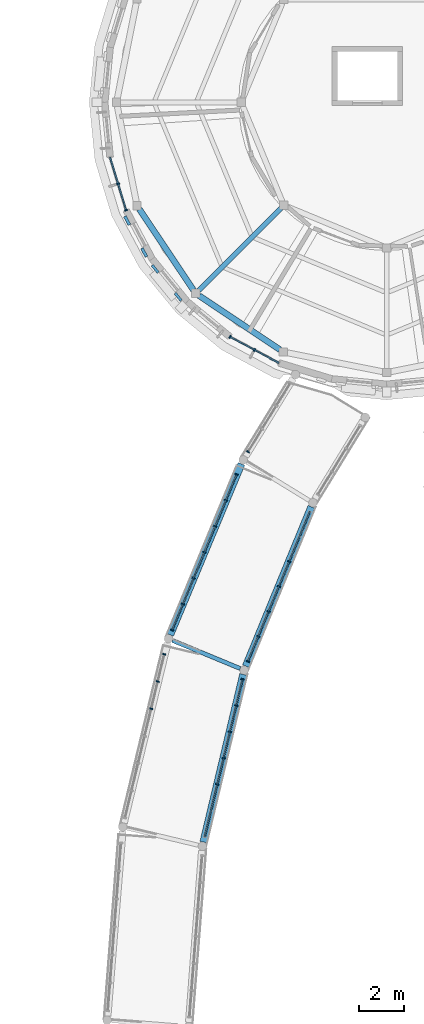
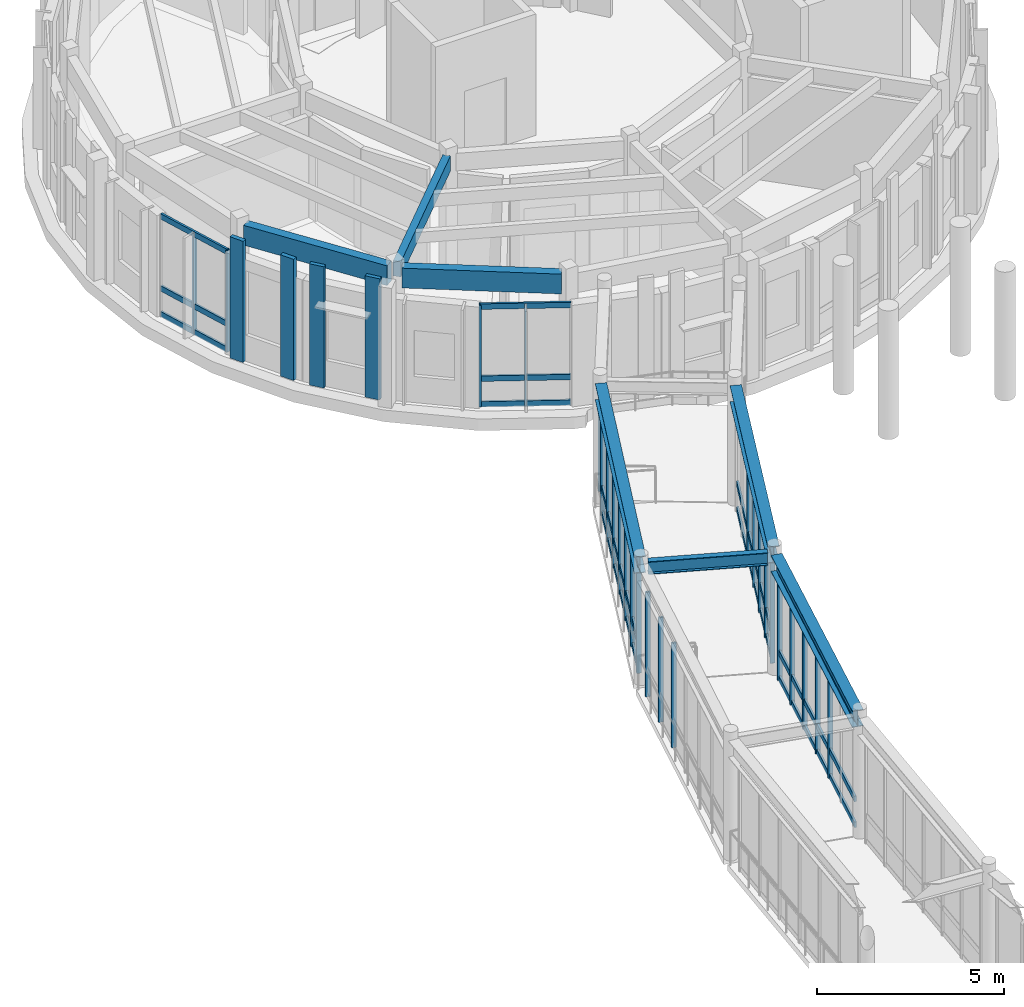
# One storey, part 27 of 80: 44 members, 7 beams, 7 elements without a shape of their own.
"""IFC4 building model written with IfcOpenShell, lengths in metres."""

from ifc_helpers import new_model, si_unit, direction, frame, origin, origin_2d, place, context, subcontext, project, spatial, rectangle, i_section, extrude, material, layer, layer_set, material_profile, profile_set, type_object, element, aggregate, save


model = new_model("IFC4")

# Units and contexts
model_context = context("Model", 3, precision=1e-05, world=origin(), true_north=direction((0.0, 1.0)))
body_context = subcontext(model_context, "Body", "Model", "MODEL_VIEW")
ifc_project = project(units=[si_unit("LENGTHUNIT", "METRE"), si_unit("AREAUNIT", "SQUARE_METRE"), si_unit("VOLUMEUNIT", "CUBIC_METRE"), si_unit("PLANEANGLEUNIT", "RADIAN"), si_unit("MASSUNIT", "GRAM", prefix="KILO")], contexts=[model_context])

# Site, building, storey
site_placement = place(None, origin())
site = spatial("IfcSite", under=ifc_project, at=site_placement, CompositionType="ELEMENT")
building_placement = place(site_placement, origin())
building = spatial("IfcBuilding", under=site, at=building_placement, Name="Aldenvaro Health Centre", CompositionType="ELEMENT")
storey_placement = place(building_placement, frame((0.0, 0.0, 4.550048828125)))
storey = spatial("IfcBuildingStorey", under=building, at=storey_placement, Name="L01", CompositionType="ELEMENT", Elevation=4.550048828125)

# Beams
ifc_material_1 = material(Name="Glulam GL28h", Category="wood")
ifc_material_profile_1 = material_profile(ifc_material_1, rectangle(XDim=0.215087890625, YDim=0.493896484375, at=origin_2d()), Name="GL 215x494", Category="wood")
ifc_profile_set_1 = profile_set([ifc_material_profile_1], Name="Glulam GL28h")
beam_type_1 = type_object("IfcBeamType", Name="BM-GL-494", PredefinedType="BEAM", material=ifc_profile_set_1)
beam_1_placement = place(storey_placement, frame((149.845947265625, 94.845947265625, 3.7080078125), z_axis=(-0.707106781187, -0.707106781187, 0.0), x_axis=(0.707106781187, -0.707106781187, 0.0)))
element("IfcBeam", 1, at=beam_1_placement, inside=storey, type_object=beam_type_1, Name="D2 L01 radial beam 04", PredefinedType="BEAM", context=body_context, shape_type="SweptSolid", body=[
    extrude(rectangle(XDim=0.215087890625, YDim=0.493896484375, at=origin_2d()), origin(), (0.0, 0.0, 1.0), 5.115234375),
])
ifc_material_profile_2 = material_profile(ifc_material_1, rectangle(XDim=0.264892578125, YDim=0.64599609375, at=origin_2d()), Name="GL 265x646", Category="wood")
ifc_profile_set_2 = profile_set([ifc_material_profile_2], Name="Glulam GL28h")
beam_type_2 = type_object("IfcBeamType", Name="BM-GL-646", PredefinedType="SPANDREL", material=ifc_profile_set_2)
for number, where, z_axis, x_axis, name in (
    (2, (143.625, 94.802001953125, 3.6318359375), (0.555886935474, -0.831257911222, 0.0), (0.831257911222, 0.555886935474, 0.0), "D2 L01 perimeter spandrel 10"),
    (3, (146.251953125, 90.9990234375, 3.6318359375), (0.831257911222, -0.555886935474, 0.0), (0.555886935474, 0.831257911222, 0.0), "D2 L01 perimeter spandrel 11"),
):
    element("IfcBeam", number, at=place(storey_placement, frame(where, z_axis=z_axis, x_axis=x_axis)), inside=storey, type_object=beam_type_2, Name=name, PredefinedType="SPANDREL", context=body_context, shape_type="SweptSolid", body=[
        extrude(rectangle(XDim=0.264892578125, YDim=0.64599609375, at=origin_2d()), origin(), (0.0, 0.0, 1.0), 4.270751953125),
    ])
ifc_material_2 = material(Name="Steel ASTM A992 Grade 50", Category="steel")
ifc_material_profile_3 = material_profile(ifc_material_2, i_section(OverallWidth=0.180908203125, OverallDepth=0.4169921875, WebThickness=0.010986328125, FlangeThickness=0.018310546875, at=origin_2d()), Name="W16X57", Category="steel")
ifc_profile_set_3 = profile_set([ifc_material_profile_3], Name="Steel ASTM A992 Grade 50")
beam_type_3 = type_object("IfcBeamType", Name="BM-ST-W16E", PredefinedType="JOIST", material=ifc_profile_set_3)
beam_2_placement = place(storey_placement, frame((148.056884765625, 74.60693359375, 3.740966796875), z_axis=(-0.923840255286, 0.382778242216, 0.0), x_axis=(-0.382778242216, -0.923840255286, 0.0)))
element("IfcBeam", 4, at=beam_2_placement, inside=storey, type_object=beam_type_3, Name="East Curved Garden Colonnade Arc 2 L01 cross beam 2", PredefinedType="JOIST", context=body_context, shape_type="SweptSolid", body=[
    extrude(i_section(OverallWidth=0.180908203125, OverallDepth=0.4169921875, WebThickness=0.010986328125, FlangeThickness=0.018310546875, at=origin_2d()), origin(), (0.0, 0.0, 1.0), 3.218994140625),
])
ifc_material_profile_4 = material_profile(ifc_material_2, i_section(OverallWidth=0.31201171875, OverallDepth=0.54296875, WebThickness=0.0126953125, FlangeThickness=0.020263671875, at=origin_2d()), Name="W21X101", Category="steel")
ifc_profile_set_4 = profile_set([ifc_material_profile_4], Name="Steel ASTM A992 Grade 50")
beam_type_4 = type_object("IfcBeamType", Name="BM-ST-W21E", PredefinedType="BEAM", material=ifc_profile_set_4)
beam_3_placement = place(storey_placement, frame((151.18505859375, 81.718017578125, 3.678955078125), z_axis=(-0.380124151728, -0.924935473032, 0.0), x_axis=(0.924935473032, -0.380124151728, 0.0)))
element("IfcBeam", 5, at=beam_3_placement, inside=storey, type_object=beam_type_4, Name="East Curved Garden Colonnade Arc 2 L01 girder L-1", PredefinedType="BEAM", context=body_context, shape_type="SweptSolid", body=[
    extrude(i_section(OverallWidth=0.31201171875, OverallDepth=0.54296875, WebThickness=0.0126953125, FlangeThickness=0.020263671875, at=origin_2d()), origin(), (0.0, 0.0, 1.0), 7.576904296875),
])
beam_4_placement = place(storey_placement, frame((148.114013671875, 83.60107421875, 3.678955078125), z_axis=(-0.384943265657, -0.922940237624, 0.0), x_axis=(0.922940237624, -0.384943265657, 0.0)))
element("IfcBeam", 6, at=beam_4_placement, inside=storey, type_object=beam_type_4, Name="East Curved Garden Colonnade Arc 2 L01 girder R-1", PredefinedType="BEAM", context=body_context, shape_type="SweptSolid", body=[
    extrude(i_section(OverallWidth=0.31201171875, OverallDepth=0.54296875, WebThickness=0.0126953125, FlangeThickness=0.020263671875, at=origin_2d()), origin(), (0.0, 0.0, 1.0), 8.1416015625),
])
beam_5_placement = place(storey_placement, frame((148.18896484375, 74.34912109375, 3.678955078125), z_axis=(-0.230871087294, -0.972984347794, 0.0), x_axis=(0.972984347794, -0.230871087294, 0.0)))
element("IfcBeam", 7, at=beam_5_placement, inside=storey, type_object=beam_type_4, Name="East Curved Garden Colonnade Arc 3 L01 girder L-1", PredefinedType="BEAM", context=body_context, shape_type="SweptSolid", body=[
    extrude(i_section(OverallWidth=0.31201171875, OverallDepth=0.54296875, WebThickness=0.0126953125, FlangeThickness=0.020263671875, at=origin_2d()), origin(), (0.0, 0.0, 1.0), 7.57568359375),
])

# Curtain wall, members
ifc_material_3 = material(Name="Anodised Aluminium 6063-T6", Category="aluminium")
ifc_layer_1 = layer(ifc_material_3, 0.195068359375, Name="Anodised Aluminium 6063-T6", Category="aluminium")
ifc_layer_set_1 = layer_set([ifc_layer_1], Name="Anodised Aluminium 6063-T6")
curtain_wall_type_1 = type_object("IfcCurtainWallType", Name="CW-CLN-02", PredefinedType="NOTDEFINED", material=ifc_layer_set_1)
curtain_wall_1_placement = place(storey_placement, origin())
curtain_wall_1 = element("IfcCurtainWall", 8, at=curtain_wall_1_placement, inside=storey, type_object=curtain_wall_type_1, Name="D2 L01 curtain wall bay 11", PredefinedType="NOTDEFINED")
ifc_material_profile_5 = material_profile(ifc_material_3, rectangle(XDim=0.06005859375, YDim=0.135009765625, at=origin_2d()), Name="ALU 60x135", Category="aluminium")
ifc_profile_set_5 = profile_set([ifc_material_profile_5], Name="Anodised Aluminium 6063-T6")
member_type_1 = type_object("IfcMemberType", Name="CWM-150", PredefinedType="MULLION", material=ifc_profile_set_5)
member_1_placement = place(storey_placement, frame((148.68310546875, 88.616943359375, 0.0), z_axis=(0.0, 0.0, 1.0), x_axis=(-0.881919874971, 0.471399336159, 0.0)))
member_1 = element("IfcMember", 9, at=member_1_placement, type_object=member_type_1, Name="D2 L01 curtain wall bay 11 mullion 2", PredefinedType="MULLION", context=body_context, shape_type="SweptSolid", body=[
    extrude(rectangle(XDim=0.06005859375, YDim=0.135009765625, at=origin_2d()), origin(), (0.0, 0.0, 1.0), 3.308837890625),
])
member_2_placement = place(storey_placement, frame((147.611083984375, 89.18994140625, 0.0), z_axis=(0.0, 0.0, 1.0), x_axis=(-0.881919874971, 0.471399336159, 0.0)))
member_2 = element("IfcMember", 10, at=member_2_placement, type_object=member_type_1, Name="D2 L01 curtain wall bay 11 mullion 3", PredefinedType="MULLION", context=body_context, shape_type="SweptSolid", body=[
    extrude(rectangle(XDim=0.06005859375, YDim=0.135009765625, at=origin_2d()), origin(), (0.0, 0.0, 1.0), 3.308837890625),
])

curtain_wall_2_placement = place(storey_placement, origin())
curtain_wall_2 = element("IfcCurtainWall", 11, at=curtain_wall_2_placement, inside=storey, type_object=curtain_wall_type_1, Name="D2 L01 curtain wall bay 15", PredefinedType="NOTDEFINED")
member_3_placement = place(storey_placement, frame((143.0439453125, 94.7548828125, 0.0), z_axis=(0.0, 0.0, 1.0), x_axis=(-0.290441245116, 0.956892827403, 0.0)))
member_3 = element("IfcMember", 12, at=member_3_placement, type_object=member_type_1, Name="D2 L01 curtain wall bay 15 mullion 1", PredefinedType="MULLION", context=body_context, shape_type="SweptSolid", body=[
    extrude(rectangle(XDim=0.06005859375, YDim=0.135009765625, at=origin_2d()), origin(), (0.0, 0.0, 1.0), 3.308837890625),
])
member_4_placement = place(storey_placement, frame((142.69091796875, 95.91796875, 0.0), z_axis=(0.0, 0.0, 1.0), x_axis=(-0.290441245116, 0.956892827403, 0.0)))
member_4 = element("IfcMember", 13, at=member_4_placement, type_object=member_type_1, Name="D2 L01 curtain wall bay 15 mullion 2", PredefinedType="MULLION", context=body_context, shape_type="SweptSolid", body=[
    extrude(rectangle(XDim=0.06005859375, YDim=0.135009765625, at=origin_2d()), origin(), (0.0, 0.0, 1.0), 3.308837890625),
])

# Curtain wall, member
ifc_layer_2 = layer(ifc_material_3, 0.2099609375, Name="Anodised Aluminium 6063-T6", Category="aluminium")
ifc_layer_set_2 = layer_set([ifc_layer_2], Name="Anodised Aluminium 6063-T6")
curtain_wall_type_2 = type_object("IfcCurtainWallType", Name="CW-BRG-03", PredefinedType="NOTDEFINED", material=ifc_layer_set_2)
curtain_wall_3_placement = place(storey_placement, origin())
curtain_wall_3 = element("IfcCurtainWall", 14, at=curtain_wall_3_placement, inside=storey, type_object=curtain_wall_type_2, Name="East Curved Garden Colonnade Arc 1 L01 glazed link wall R-1.1", PredefinedType="NOTDEFINED")
member_5_placement = place(storey_placement, frame((148.406982421875, 84.134033203125, 0.0), z_axis=(0.0, 0.0, 1.0), x_axis=(-0.522562057926, -0.852601252413, 0.0)))
member_5 = element("IfcMember", 15, at=member_5_placement, type_object=member_type_1, Name="East Curved Garden Colonnade Arc 1 L01 glazed link wall R-1.1 mullion 4", PredefinedType="MULLION", context=body_context, shape_type="SweptSolid", body=[
    extrude(rectangle(XDim=0.06005859375, YDim=0.135009765625, at=origin_2d()), origin(), (0.0, 0.0, 1.0), 3.409912109375),
])
aggregate(curtain_wall_3, [member_5])

# Curtain wall, members
curtain_wall_4_placement = place(storey_placement, origin())
curtain_wall_4 = element("IfcCurtainWall", 16, at=curtain_wall_4_placement, inside=storey, type_object=curtain_wall_type_2, Name="East Curved Garden Colonnade Arc 2 L01 glazed link wall L-1.1", PredefinedType="NOTDEFINED")
member_6_placement = place(storey_placement, frame((150.2119140625, 79.31298828125, 0.0), z_axis=(0.0, 0.0, 1.0), x_axis=(-0.382562426811, -0.923929645369, 0.0)))
member_6 = element("IfcMember", 17, at=member_6_placement, type_object=member_type_1, Name="East Curved Garden Colonnade Arc 2 L01 glazed link wall L-1.1 mullion 3", PredefinedType="MULLION", context=body_context, shape_type="SweptSolid", body=[
    extrude(rectangle(XDim=0.06005859375, YDim=0.135009765625, at=origin_2d()), origin(), (0.0, 0.0, 1.0), 3.409912109375),
])
member_7_placement = place(storey_placement, frame((149.757080078125, 78.215087890625, 0.0), z_axis=(0.0, 0.0, 1.0), x_axis=(-0.382562426811, -0.923929645369, 0.0)))
member_7 = element("IfcMember", 18, at=member_7_placement, type_object=member_type_1, Name="East Curved Garden Colonnade Arc 2 L01 glazed link wall L-1.1 mullion 4", PredefinedType="MULLION", context=body_context, shape_type="SweptSolid", body=[
    extrude(rectangle(XDim=0.06005859375, YDim=0.135009765625, at=origin_2d()), origin(), (0.0, 0.0, 1.0), 3.409912109375),
])
member_8_placement = place(storey_placement, frame((149.302978515625, 77.116943359375, 0.0), z_axis=(0.0, 0.0, 1.0), x_axis=(-0.382562426811, -0.923929645369, 0.0)))
member_8 = element("IfcMember", 19, at=member_8_placement, type_object=member_type_1, Name="East Curved Garden Colonnade Arc 2 L01 glazed link wall L-1.1 mullion 5", PredefinedType="MULLION", context=body_context, shape_type="SweptSolid", body=[
    extrude(rectangle(XDim=0.06005859375, YDim=0.135009765625, at=origin_2d()), origin(), (0.0, 0.0, 1.0), 3.409912109375),
])
member_9_placement = place(storey_placement, frame((148.84912109375, 76.02001953125, 0.0), z_axis=(0.0, 0.0, 1.0), x_axis=(-0.382562426811, -0.923929645369, 0.0)))
member_9 = element("IfcMember", 20, at=member_9_placement, type_object=member_type_1, Name="East Curved Garden Colonnade Arc 2 L01 glazed link wall L-1.1 mullion 6", PredefinedType="MULLION", context=body_context, shape_type="SweptSolid", body=[
    extrude(rectangle(XDim=0.06005859375, YDim=0.135009765625, at=origin_2d()), origin(), (0.0, 0.0, 1.0), 3.409912109375),
])
member_10_placement = place(storey_placement, frame((148.39404296875, 74.922119140625, 0.0), z_axis=(0.0, 0.0, 1.0), x_axis=(-0.382562426811, -0.923929645369, 0.0)))
member_10 = element("IfcMember", 21, at=member_10_placement, type_object=member_type_1, Name="East Curved Garden Colonnade Arc 2 L01 glazed link wall L-1.1 mullion 7", PredefinedType="MULLION", context=body_context, shape_type="SweptSolid", body=[
    extrude(rectangle(XDim=0.06005859375, YDim=0.135009765625, at=origin_2d()), origin(), (0.0, 0.0, 1.0), 3.409912109375),
])

curtain_wall_5_placement = place(storey_placement, origin())
curtain_wall_5 = element("IfcCurtainWall", 22, at=curtain_wall_5_placement, inside=storey, type_object=curtain_wall_type_2, Name="East Curved Garden Colonnade Arc 2 L01 glazed link wall R-1.1", PredefinedType="NOTDEFINED")
member_11_placement = place(storey_placement, frame((147.89794921875, 83.135986328125, 0.0), z_axis=(0.0, 0.0, 1.0), x_axis=(-0.382503002228, -0.923954248481, 0.0)))
member_11 = element("IfcMember", 23, at=member_11_placement, type_object=member_type_1, Name="East Curved Garden Colonnade Arc 2 L01 glazed link wall R-1.1 mullion 1", PredefinedType="MULLION", context=body_context, shape_type="SweptSolid", body=[
    extrude(rectangle(XDim=0.06005859375, YDim=0.135009765625, at=origin_2d()), origin(), (0.0, 0.0, 1.0), 3.409912109375),
])
member_12_placement = place(storey_placement, frame((147.426025390625, 81.9970703125, 0.0), z_axis=(0.0, 0.0, 1.0), x_axis=(-0.382503002228, -0.923954248481, 0.0)))
member_12 = element("IfcMember", 24, at=member_12_placement, type_object=member_type_1, Name="East Curved Garden Colonnade Arc 2 L01 glazed link wall R-1.1 mullion 2", PredefinedType="MULLION", context=body_context, shape_type="SweptSolid", body=[
    extrude(rectangle(XDim=0.06005859375, YDim=0.135009765625, at=origin_2d()), origin(), (0.0, 0.0, 1.0), 3.409912109375),
])
member_13_placement = place(storey_placement, frame((146.955078125, 80.85693359375, 0.0), z_axis=(0.0, 0.0, 1.0), x_axis=(-0.382503002228, -0.923954248481, 0.0)))
member_13 = element("IfcMember", 25, at=member_13_placement, type_object=member_type_1, Name="East Curved Garden Colonnade Arc 2 L01 glazed link wall R-1.1 mullion 3", PredefinedType="MULLION", context=body_context, shape_type="SweptSolid", body=[
    extrude(rectangle(XDim=0.06005859375, YDim=0.135009765625, at=origin_2d()), origin(), (0.0, 0.0, 1.0), 3.409912109375),
])
member_14_placement = place(storey_placement, frame((146.48291015625, 79.718017578125, 0.0), z_axis=(0.0, 0.0, 1.0), x_axis=(-0.382503002228, -0.923954248481, 0.0)))
member_14 = element("IfcMember", 26, at=member_14_placement, type_object=member_type_1, Name="East Curved Garden Colonnade Arc 2 L01 glazed link wall R-1.1 mullion 4", PredefinedType="MULLION", context=body_context, shape_type="SweptSolid", body=[
    extrude(rectangle(XDim=0.06005859375, YDim=0.135009765625, at=origin_2d()), origin(), (0.0, 0.0, 1.0), 3.409912109375),
])
member_15_placement = place(storey_placement, frame((146.010986328125, 78.5791015625, 0.0), z_axis=(0.0, 0.0, 1.0), x_axis=(-0.382503002228, -0.923954248481, 0.0)))
member_15 = element("IfcMember", 27, at=member_15_placement, type_object=member_type_1, Name="East Curved Garden Colonnade Arc 2 L01 glazed link wall R-1.1 mullion 5", PredefinedType="MULLION", context=body_context, shape_type="SweptSolid", body=[
    extrude(rectangle(XDim=0.06005859375, YDim=0.135009765625, at=origin_2d()), origin(), (0.0, 0.0, 1.0), 3.409912109375),
])
member_16_placement = place(storey_placement, frame((145.5400390625, 77.43896484375, 0.0), z_axis=(0.0, 0.0, 1.0), x_axis=(-0.382503002228, -0.923954248481, 0.0)))
member_16 = element("IfcMember", 28, at=member_16_placement, type_object=member_type_1, Name="East Curved Garden Colonnade Arc 2 L01 glazed link wall R-1.1 mullion 6", PredefinedType="MULLION", context=body_context, shape_type="SweptSolid", body=[
    extrude(rectangle(XDim=0.06005859375, YDim=0.135009765625, at=origin_2d()), origin(), (0.0, 0.0, 1.0), 3.409912109375),
])
member_17_placement = place(storey_placement, frame((145.068115234375, 76.300048828125, 0.0), z_axis=(0.0, 0.0, 1.0), x_axis=(-0.382503002228, -0.923954248481, 0.0)))
member_17 = element("IfcMember", 29, at=member_17_placement, type_object=member_type_1, Name="East Curved Garden Colonnade Arc 2 L01 glazed link wall R-1.1 mullion 7", PredefinedType="MULLION", context=body_context, shape_type="SweptSolid", body=[
    extrude(rectangle(XDim=0.06005859375, YDim=0.135009765625, at=origin_2d()), origin(), (0.0, 0.0, 1.0), 3.409912109375),
])

curtain_wall_6_placement = place(storey_placement, origin())
curtain_wall_6 = element("IfcCurtainWall", 30, at=curtain_wall_6_placement, inside=storey, type_object=curtain_wall_type_2, Name="East Curved Garden Colonnade Arc 3 L01 glazed link wall L-1.1", PredefinedType="NOTDEFINED")
member_18_placement = place(storey_placement, frame((148.158935546875, 74.131103515625, 0.0), z_axis=(0.0, 0.0, 1.0), x_axis=(-0.233611743879, -0.972329961033, 0.0)))
member_18 = element("IfcMember", 31, at=member_18_placement, type_object=member_type_1, Name="East Curved Garden Colonnade Arc 3 L01 glazed link wall L-1.1 mullion 1", PredefinedType="MULLION", context=body_context, shape_type="SweptSolid", body=[
    extrude(rectangle(XDim=0.06005859375, YDim=0.135009765625, at=origin_2d()), origin(), (0.0, 0.0, 1.0), 3.409912109375),
])
member_19_placement = place(storey_placement, frame((147.881103515625, 72.97607421875, 0.0), z_axis=(0.0, 0.0, 1.0), x_axis=(-0.233611743879, -0.972329961033, 0.0)))
member_19 = element("IfcMember", 32, at=member_19_placement, type_object=member_type_1, Name="East Curved Garden Colonnade Arc 3 L01 glazed link wall L-1.1 mullion 2", PredefinedType="MULLION", context=body_context, shape_type="SweptSolid", body=[
    extrude(rectangle(XDim=0.06005859375, YDim=0.135009765625, at=origin_2d()), origin(), (0.0, 0.0, 1.0), 3.409912109375),
])
member_20_placement = place(storey_placement, frame((147.60400390625, 71.821044921875, 0.0), z_axis=(0.0, 0.0, 1.0), x_axis=(-0.233611743879, -0.972329961033, 0.0)))
member_20 = element("IfcMember", 33, at=member_20_placement, type_object=member_type_1, Name="East Curved Garden Colonnade Arc 3 L01 glazed link wall L-1.1 mullion 3", PredefinedType="MULLION", context=body_context, shape_type="SweptSolid", body=[
    extrude(rectangle(XDim=0.06005859375, YDim=0.135009765625, at=origin_2d()), origin(), (0.0, 0.0, 1.0), 3.409912109375),
])
member_21_placement = place(storey_placement, frame((147.326904296875, 70.666015625, 0.0), z_axis=(0.0, 0.0, 1.0), x_axis=(-0.233611743879, -0.972329961033, 0.0)))
member_21 = element("IfcMember", 34, at=member_21_placement, type_object=member_type_1, Name="East Curved Garden Colonnade Arc 3 L01 glazed link wall L-1.1 mullion 4", PredefinedType="MULLION", context=body_context, shape_type="SweptSolid", body=[
    extrude(rectangle(XDim=0.06005859375, YDim=0.135009765625, at=origin_2d()), origin(), (0.0, 0.0, 1.0), 3.409912109375),
])
member_22_placement = place(storey_placement, frame((147.049072265625, 69.510986328125, 0.0), z_axis=(0.0, 0.0, 1.0), x_axis=(-0.233611743879, -0.972329961033, 0.0)))
member_22 = element("IfcMember", 35, at=member_22_placement, type_object=member_type_1, Name="East Curved Garden Colonnade Arc 3 L01 glazed link wall L-1.1 mullion 5", PredefinedType="MULLION", context=body_context, shape_type="SweptSolid", body=[
    extrude(rectangle(XDim=0.06005859375, YDim=0.135009765625, at=origin_2d()), origin(), (0.0, 0.0, 1.0), 3.409912109375),
])

curtain_wall_7_placement = place(storey_placement, origin())
curtain_wall_7 = element("IfcCurtainWall", 36, at=curtain_wall_7_placement, inside=storey, type_object=curtain_wall_type_2, Name="East Curved Garden Colonnade Arc 3 L01 glazed link wall R-1.1", PredefinedType="NOTDEFINED")
member_23_placement = place(storey_placement, frame((144.721923828125, 75.235107421875, 0.0), z_axis=(0.0, 0.0, 1.0), x_axis=(-0.233587677429, -0.972335742917, 0.0)))
member_23 = element("IfcMember", 37, at=member_23_placement, type_object=member_type_1, Name="East Curved Garden Colonnade Arc 3 L01 glazed link wall R-1.1 mullion 1", PredefinedType="MULLION", context=body_context, shape_type="SweptSolid", body=[
    extrude(rectangle(XDim=0.06005859375, YDim=0.135009765625, at=origin_2d()), origin(), (0.0, 0.0, 1.0), 3.409912109375),
])
member_24_placement = place(storey_placement, frame((144.43408203125, 74.035888671875, 0.0), z_axis=(0.0, 0.0, 1.0), x_axis=(-0.233587677429, -0.972335742917, 0.0)))
member_24 = element("IfcMember", 38, at=member_24_placement, type_object=member_type_1, Name="East Curved Garden Colonnade Arc 3 L01 glazed link wall R-1.1 mullion 2", PredefinedType="MULLION", context=body_context, shape_type="SweptSolid", body=[
    extrude(rectangle(XDim=0.06005859375, YDim=0.135009765625, at=origin_2d()), origin(), (0.0, 0.0, 1.0), 3.409912109375),
])
member_25_placement = place(storey_placement, frame((144.14599609375, 72.8369140625, 0.0), z_axis=(0.0, 0.0, 1.0), x_axis=(-0.233587677429, -0.972335742917, 0.0)))
member_25 = element("IfcMember", 39, at=member_25_placement, type_object=member_type_1, Name="East Curved Garden Colonnade Arc 3 L01 glazed link wall R-1.1 mullion 3", PredefinedType="MULLION", context=body_context, shape_type="SweptSolid", body=[
    extrude(rectangle(XDim=0.06005859375, YDim=0.135009765625, at=origin_2d()), origin(), (0.0, 0.0, 1.0), 3.409912109375),
])
aggregate(curtain_wall_7, [member_23, member_24, member_25])

# Member
ifc_material_profile_6 = material_profile(ifc_material_3, rectangle(XDim=0.06494140625, YDim=0.179931640625, at=origin_2d()), Name="ALU 65x180", Category="aluminium")
ifc_profile_set_6 = profile_set([ifc_material_profile_6], Name="Anodised Aluminium 6063-T6")
member_type_2 = type_object("IfcMemberType", Name="CWT-150", PredefinedType="USERDEFINED", material=ifc_profile_set_6)
member_26_placement = place(storey_placement, frame((149.7548828125, 88.0439453125, 0.06005859375), z_axis=(-0.881902152415, 0.471432490996, 0.0), x_axis=(-0.471432490996, -0.881902152415, 0.0)))
member_26 = element("IfcMember", 40, at=member_26_placement, type_object=member_type_2, Name="D2 L01 curtain wall bay 11 transom 1", ObjectType="TRANSOM", PredefinedType="USERDEFINED", context=body_context, shape_type="SweptSolid", body=[
    extrude(rectangle(XDim=0.06494140625, YDim=0.179931640625, at=origin_2d()), origin(), (0.0, 0.0, 1.0), 2.430908203125),
])

member_27_placement = place(storey_placement, frame((149.7548828125, 88.0439453125, 0.89990234375), z_axis=(-0.881902152415, 0.471432490996, 0.0), x_axis=(-0.471432490996, -0.881902152415, 0.0)))
member_27 = element("IfcMember", 41, at=member_27_placement, type_object=member_type_2, Name="D2 L01 curtain wall bay 11 transom 2", ObjectType="TRANSOM", PredefinedType="USERDEFINED", context=body_context, shape_type="SweptSolid", body=[
    extrude(rectangle(XDim=0.06494140625, YDim=0.179931640625, at=origin_2d()), origin(), (0.0, 0.0, 1.0), 2.430908203125),
])

member_28_placement = place(storey_placement, frame((149.7548828125, 88.0439453125, 3.2490234375), z_axis=(-0.881902152415, 0.471432490996, 0.0), x_axis=(-0.471432490996, -0.881902152415, 0.0)))
member_28 = element("IfcMember", 42, at=member_28_placement, type_object=member_type_2, Name="D2 L01 curtain wall bay 11 transom 3", ObjectType="TRANSOM", PredefinedType="USERDEFINED", context=body_context, shape_type="SweptSolid", body=[
    extrude(rectangle(XDim=0.06494140625, YDim=0.179931640625, at=origin_2d()), origin(), (0.0, 0.0, 1.0), 2.430908203125),
])

aggregate(curtain_wall_1, [member_1, member_2, member_26, member_27, member_28])

member_29_placement = place(storey_placement, frame((143.0439453125, 94.7548828125, 0.06005859375), z_axis=(-0.290442193951, 0.956892539407, 0.0), x_axis=(-0.956892539407, -0.290442193951, 0.0)))
member_29 = element("IfcMember", 43, at=member_29_placement, type_object=member_type_2, Name="D2 L01 curtain wall bay 15 transom 1", ObjectType="TRANSOM", PredefinedType="USERDEFINED", context=body_context, shape_type="SweptSolid", body=[
    extrude(rectangle(XDim=0.06494140625, YDim=0.179931640625, at=origin_2d()), origin(), (0.0, 0.0, 1.0), 2.430908203125),
])

member_30_placement = place(storey_placement, frame((143.0439453125, 94.7548828125, 0.89990234375), z_axis=(-0.290442193951, 0.956892539407, 0.0), x_axis=(-0.956892539407, -0.290442193951, 0.0)))
member_30 = element("IfcMember", 44, at=member_30_placement, type_object=member_type_2, Name="D2 L01 curtain wall bay 15 transom 2", ObjectType="TRANSOM", PredefinedType="USERDEFINED", context=body_context, shape_type="SweptSolid", body=[
    extrude(rectangle(XDim=0.06494140625, YDim=0.179931640625, at=origin_2d()), origin(), (0.0, 0.0, 1.0), 2.430908203125),
])

member_31_placement = place(storey_placement, frame((143.0439453125, 94.7548828125, 3.2490234375), z_axis=(-0.290442193951, 0.956892539407, 0.0), x_axis=(-0.956892539407, -0.290442193951, 0.0)))
member_31 = element("IfcMember", 45, at=member_31_placement, type_object=member_type_2, Name="D2 L01 curtain wall bay 15 transom 3", ObjectType="TRANSOM", PredefinedType="USERDEFINED", context=body_context, shape_type="SweptSolid", body=[
    extrude(rectangle(XDim=0.06494140625, YDim=0.179931640625, at=origin_2d()), origin(), (0.0, 0.0, 1.0), 2.430908203125),
])

aggregate(curtain_wall_2, [member_3, member_4, member_29, member_30, member_31])

member_32_placement = place(storey_placement, frame((151.12109375, 81.508056640625, 0.06005859375), z_axis=(-0.382571607282, -0.923925844049, 0.0), x_axis=(0.923925844049, -0.382571607282, 0.0)))
member_32 = element("IfcMember", 46, at=member_32_placement, type_object=member_type_2, Name="East Curved Garden Colonnade Arc 2 L01 glazed link wall L-1.1 transom 1", ObjectType="TRANSOM", PredefinedType="USERDEFINED", context=body_context, shape_type="SweptSolid", body=[
    extrude(rectangle(XDim=0.06494140625, YDim=0.179931640625, at=origin_2d()), origin(), (0.0, 0.0, 1.0), 7.128173828125),
])

member_33_placement = place(storey_placement, frame((151.12109375, 81.508056640625, 0.89990234375), z_axis=(-0.382571607282, -0.923925844049, 0.0), x_axis=(0.923925844049, -0.382571607282, 0.0)))
member_33 = element("IfcMember", 47, at=member_33_placement, type_object=member_type_2, Name="East Curved Garden Colonnade Arc 2 L01 glazed link wall L-1.1 transom 2", ObjectType="TRANSOM", PredefinedType="USERDEFINED", context=body_context, shape_type="SweptSolid", body=[
    extrude(rectangle(XDim=0.06494140625, YDim=0.179931640625, at=origin_2d()), origin(), (0.0, 0.0, 1.0), 7.128173828125),
])

member_34_placement = place(storey_placement, frame((151.12109375, 81.508056640625, 3.349853515625), z_axis=(-0.382571607282, -0.923925844049, 0.0), x_axis=(0.923925844049, -0.382571607282, 0.0)))
member_34 = element("IfcMember", 48, at=member_34_placement, type_object=member_type_2, Name="East Curved Garden Colonnade Arc 2 L01 glazed link wall L-1.1 transom 3", ObjectType="TRANSOM", PredefinedType="USERDEFINED", context=body_context, shape_type="SweptSolid", body=[
    extrude(rectangle(XDim=0.06494140625, YDim=0.179931640625, at=origin_2d()), origin(), (0.0, 0.0, 1.0), 7.128173828125),
])

aggregate(curtain_wall_4, [member_6, member_7, member_8, member_9, member_10, member_32, member_33, member_34])

member_35_placement = place(storey_placement, frame((147.89794921875, 83.135986328125, 0.06005859375), z_axis=(-0.382486831665, -0.923960942682, 0.0), x_axis=(0.923960942682, -0.382486831665, 0.0)))
member_35 = element("IfcMember", 49, at=member_35_placement, type_object=member_type_2, Name="East Curved Garden Colonnade Arc 2 L01 glazed link wall R-1.1 transom 1", ObjectType="TRANSOM", PredefinedType="USERDEFINED", context=body_context, shape_type="SweptSolid", body=[
    extrude(rectangle(XDim=0.06494140625, YDim=0.179931640625, at=origin_2d()), origin(), (0.0, 0.0, 1.0), 7.3984375),
])

member_36_placement = place(storey_placement, frame((147.89794921875, 83.135986328125, 0.89990234375), z_axis=(-0.382486831665, -0.923960942682, 0.0), x_axis=(0.923960942682, -0.382486831665, 0.0)))
member_36 = element("IfcMember", 50, at=member_36_placement, type_object=member_type_2, Name="East Curved Garden Colonnade Arc 2 L01 glazed link wall R-1.1 transom 2", ObjectType="TRANSOM", PredefinedType="USERDEFINED", context=body_context, shape_type="SweptSolid", body=[
    extrude(rectangle(XDim=0.06494140625, YDim=0.179931640625, at=origin_2d()), origin(), (0.0, 0.0, 1.0), 7.3984375),
])

member_37_placement = place(storey_placement, frame((147.89794921875, 83.135986328125, 3.349853515625), z_axis=(-0.382486831665, -0.923960942682, 0.0), x_axis=(0.923960942682, -0.382486831665, 0.0)))
member_37 = element("IfcMember", 51, at=member_37_placement, type_object=member_type_2, Name="East Curved Garden Colonnade Arc 2 L01 glazed link wall R-1.1 transom 3", ObjectType="TRANSOM", PredefinedType="USERDEFINED", context=body_context, shape_type="SweptSolid", body=[
    extrude(rectangle(XDim=0.06494140625, YDim=0.179931640625, at=origin_2d()), origin(), (0.0, 0.0, 1.0), 7.3984375),
])

aggregate(curtain_wall_5, [member_11, member_12, member_13, member_14, member_15, member_16, member_17, member_35, member_36, member_37])

member_38_placement = place(storey_placement, frame((148.158935546875, 74.131103515625, 0.06005859375), z_axis=(-0.233611323307, -0.972330062079, 0.0), x_axis=(0.972330062079, -0.233611323307, 0.0)))
member_38 = element("IfcMember", 52, at=member_38_placement, type_object=member_type_2, Name="East Curved Garden Colonnade Arc 3 L01 glazed link wall L-1.1 transom 1", ObjectType="TRANSOM", PredefinedType="USERDEFINED", context=body_context, shape_type="SweptSolid", body=[
    extrude(rectangle(XDim=0.06494140625, YDim=0.179931640625, at=origin_2d()), origin(), (0.0, 0.0, 1.0), 7.12744140625),
])

member_39_placement = place(storey_placement, frame((148.158935546875, 74.131103515625, 0.89990234375), z_axis=(-0.233611323307, -0.972330062079, 0.0), x_axis=(0.972330062079, -0.233611323307, 0.0)))
member_39 = element("IfcMember", 53, at=member_39_placement, type_object=member_type_2, Name="East Curved Garden Colonnade Arc 3 L01 glazed link wall L-1.1 transom 2", ObjectType="TRANSOM", PredefinedType="USERDEFINED", context=body_context, shape_type="SweptSolid", body=[
    extrude(rectangle(XDim=0.06494140625, YDim=0.179931640625, at=origin_2d()), origin(), (0.0, 0.0, 1.0), 7.12744140625),
])

member_40_placement = place(storey_placement, frame((148.158935546875, 74.131103515625, 3.349853515625), z_axis=(-0.233611323307, -0.972330062079, 0.0), x_axis=(0.972330062079, -0.233611323307, 0.0)))
member_40 = element("IfcMember", 54, at=member_40_placement, type_object=member_type_2, Name="East Curved Garden Colonnade Arc 3 L01 glazed link wall L-1.1 transom 3", ObjectType="TRANSOM", PredefinedType="USERDEFINED", context=body_context, shape_type="SweptSolid", body=[
    extrude(rectangle(XDim=0.06494140625, YDim=0.179931640625, at=origin_2d()), origin(), (0.0, 0.0, 1.0), 7.12744140625),
])

aggregate(curtain_wall_6, [member_18, member_19, member_20, member_21, member_22, member_38, member_39, member_40])

# Members
ifc_material_profile_7 = material_profile(ifc_material_1, rectangle(XDim=0.114990234375, YDim=0.419921875, at=origin_2d()), Name="GL 115x420", Category="wood")
ifc_profile_set_7 = profile_set([ifc_material_profile_7], Name="Glulam GL28h")
member_type_3 = type_object("IfcMemberType", Name="MEM-SLT-420A", PredefinedType="POST", material=ifc_profile_set_7)
for number, where, z_axis, x_axis, name in (
    (55, (145.330078125, 90.946044921875, 0.0), (0.0, 0.0, 1.0), (-0.773021639749, -0.634379653268, 0.0), "D2 L01 vertical timber slat 13.1"),
    (56, (144.321044921875, 92.175048828125, 0.0), (0.0, 0.0, 1.0), (-0.773021639749, -0.634379653268, 0.0), "D2 L01 vertical timber slat 13.3"),
):
    element("IfcMember", number, at=place(storey_placement, frame(where, z_axis=z_axis, x_axis=x_axis)), inside=storey, type_object=member_type_3, Name=name, PredefinedType="POST", context=body_context, shape_type="SweptSolid", body=[
        extrude(rectangle(XDim=0.114990234375, YDim=0.419921875, at=origin_2d()), origin(), (0.0, 0.0, 1.0), 3.954833984375),
    ])
ifc_material_profile_8 = material_profile(ifc_material_1, rectangle(XDim=0.1298828125, YDim=0.419921875, at=origin_2d()), Name="GL 130x420", Category="wood")
ifc_profile_set_8 = profile_set([ifc_material_profile_8], Name="Glulam GL28h")
member_type_4 = type_object("IfcMemberType", Name="MEM-SLT-420B", PredefinedType="POST", material=ifc_profile_set_8)
for number, where, z_axis, x_axis, name in (
    (57, (143.837890625, 92.89892578125, 0.0), (0.0, 0.0, 1.0), (-0.881919874971, -0.471399336159, 0.0), "D2 L01 vertical timber slat 14.1"),
    (58, (143.087890625, 94.302001953125, 0.0), (0.0, 0.0, 1.0), (-0.881919874971, -0.471399336159, 0.0), "D2 L01 vertical timber slat 14.3"),
):
    element("IfcMember", number, at=place(storey_placement, frame(where, z_axis=z_axis, x_axis=x_axis)), inside=storey, type_object=member_type_4, Name=name, PredefinedType="POST", context=body_context, shape_type="SweptSolid", body=[
        extrude(rectangle(XDim=0.1298828125, YDim=0.419921875, at=origin_2d()), origin(), (0.0, 0.0, 1.0), 3.954833984375),
    ])

save(model, "model.ifc")
